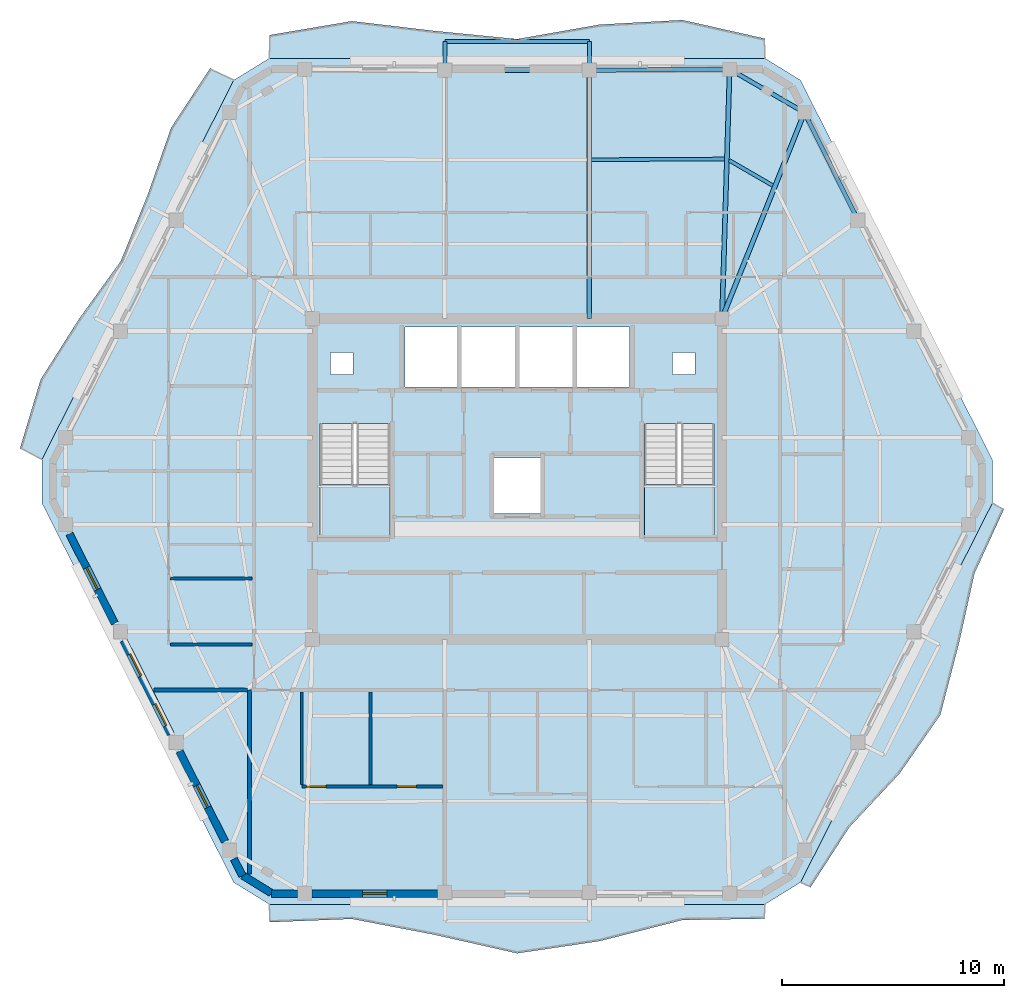
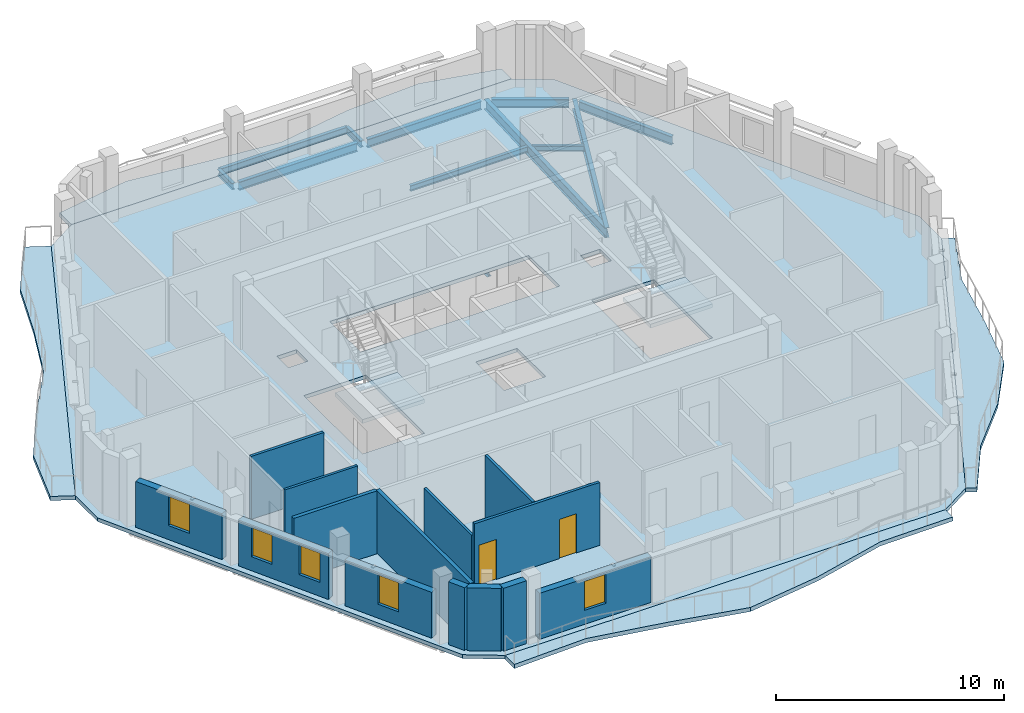
# One storey, part 3 of 11: 14 walls, 12 beams, 7 slabs, 5 windows, 2 doors, 7 openings, 2 elements without a shape of their own.
"""IFC4 building model written with IfcOpenShell, lengths in metres."""

from ifc_helpers import new_model, si_unit, direction, frame, frame_2d, origin, origin_2d, place, context, subcontext, project, spatial, polyline, rectangle, i_section, outline, extrude, material, layer, layer_set, material_profile, profile_set, type_object, element, fill, aggregate, save


model = new_model("IFC4")

# Units and contexts
model_context = context("Model", 3, precision=1e-05, world=origin(), true_north=direction((0.0, 1.0)))
body_context = subcontext(model_context, "Body", "Model", "MODEL_VIEW")
ifc_project = project(units=[si_unit("LENGTHUNIT", "METRE"), si_unit("AREAUNIT", "SQUARE_METRE"), si_unit("VOLUMEUNIT", "CUBIC_METRE"), si_unit("PLANEANGLEUNIT", "RADIAN"), si_unit("MASSUNIT", "GRAM", prefix="KILO")], contexts=[model_context])

# Site, building, storey
site_placement = place(None, origin())
site = spatial("IfcSite", under=ifc_project, at=site_placement, CompositionType="ELEMENT")
building_placement = place(site_placement, origin())
building = spatial("IfcBuilding", under=site, at=building_placement, Name="Cinnabar Lancet Tower", CompositionType="ELEMENT")
storey_placement = place(building_placement, frame((0.0, 0.0, 274.449951171875)))
storey = spatial("IfcBuildingStorey", under=building, at=storey_placement, Name="L73", CompositionType="ELEMENT", Elevation=274.449951171875)

# Beams
ifc_material_1 = material(Name="Structural steel S355", Category="steel")
ifc_material_profile_1 = material_profile(ifc_material_1, i_section(OverallWidth=0.1650390625, OverallDepth=0.303466796875, WebThickness=0.006103515625, FlangeThickness=0.01025390625, FilletRadius=0.0087890625, at=origin_2d()), Name="UKB 305x165x40")
ifc_profile_set_1 = profile_set([ifc_material_profile_1], Name="Structural steel S355")
beam_type_1 = type_object("IfcBeamType", Name="STR-BM-JST-305", PredefinedType="JOIST", material=ifc_profile_set_1)
beam_1_placement = place(storey_placement, frame((43.912109375, 39.1201171875, -0.35205078125), z_axis=(-0.865426285481, 0.501036270542, 0.0), x_axis=(-0.501036270542, -0.865426285481, 0.0)))
element("IfcBeam", 1, at=beam_1_placement, inside=storey, type_object=beam_type_1, Name="L73 Secondary Floor Joist 29", PredefinedType="JOIST", context=body_context, shape_type="SweptSolid", body=[
    extrude(i_section(OverallWidth=0.1650390625, OverallDepth=0.303466796875, WebThickness=0.006103515625, FlangeThickness=0.01025390625, FilletRadius=0.0087890625, at=origin_2d()), origin(), (0.0, 0.0, 1.0), 2.267333984375),
])
beam_2_placement = place(storey_placement, frame((41.741943359375, 40.31494140625, -0.35205078125), z_axis=(-0.999985712428, -0.005345553266, 0.0), x_axis=(0.005345553266, -0.999985712428, 0.0)))
element("IfcBeam", 2, at=beam_2_placement, inside=storey, type_object=beam_type_1, Name="L73 Secondary Floor Joist 30", PredefinedType="JOIST", context=body_context, shape_type="SweptSolid", body=[
    extrude(i_section(OverallWidth=0.1650390625, OverallDepth=0.303466796875, WebThickness=0.006103515625, FlangeThickness=0.01025390625, FilletRadius=0.0087890625, at=origin_2d()), origin(), (0.0, 0.0, 1.0), 5.98291015625),
])
ifc_material_2 = material(Name="Structural steel S355", Category="steel")
ifc_material_profile_2 = material_profile(ifc_material_2, i_section(OverallWidth=0.1904296875, OverallDepth=0.45703125, WebThickness=0.009033203125, FlangeThickness=0.014404296875, FilletRadius=0.01025390625, at=origin_2d()), Name="UKB 457x191x74")
ifc_profile_set_2 = profile_set([ifc_material_profile_2], Name="Structural steel S355")
beam_type_2 = type_object("IfcBeamType", Name="STR-BM-SPN-457", PredefinedType="SPANDREL", material=ifc_profile_set_2)
beam_3_placement = place(storey_placement, frame((47.637939453125, 37.778076171875, -0.427978515625), z_axis=(-0.444372599207, 0.895842058107, 0.0), x_axis=(-0.895842058107, -0.444372599207, 0.0)))
element("IfcBeam", 3, at=beam_3_placement, inside=storey, type_object=beam_type_2, Name="L73 Perimeter Spandrel 11", PredefinedType="SPANDREL", context=body_context, shape_type="SweptSolid", body=[
    extrude(i_section(OverallWidth=0.1904296875, OverallDepth=0.45703125, WebThickness=0.009033203125, FlangeThickness=0.014404296875, FilletRadius=0.01025390625, at=origin_2d()), origin(), (0.0, 0.0, 1.0), 4.91943359375),
])
beam_4_placement = place(storey_placement, frame((45.125, 42.533935546875, -0.427978515625), z_axis=(-0.865199693264, 0.501427453153, 0.0), x_axis=(-0.501427453153, -0.865199693264, 0.0)))
element("IfcBeam", 4, at=beam_4_placement, inside=storey, type_object=beam_type_2, Name="L73 Perimeter Spandrel 12", PredefinedType="SPANDREL", context=body_context, shape_type="SweptSolid", body=[
    extrude(i_section(OverallWidth=0.1904296875, OverallDepth=0.45703125, WebThickness=0.009033203125, FlangeThickness=0.014404296875, FilletRadius=0.01025390625, at=origin_2d()), origin(), (0.0, 0.0, 1.0), 3.39453125),
])
beam_5_placement = place(storey_placement, frame((41.721923828125, 44.35888671875, -0.427978515625), z_axis=(-0.999964782464, -0.008392486634, 0.0), x_axis=(0.008392486634, -0.999964782464, 0.0)))
element("IfcBeam", 5, at=beam_5_placement, inside=storey, type_object=beam_type_2, Name="L73 Perimeter Spandrel 13", PredefinedType="SPANDREL", context=body_context, shape_type="SweptSolid", body=[
    extrude(i_section(OverallWidth=0.1904296875, OverallDepth=0.45703125, WebThickness=0.009033203125, FlangeThickness=0.014404296875, FilletRadius=0.01025390625, at=origin_2d()), origin(), (0.0, 0.0, 1.0), 5.818115234375),
])
beam_6_placement = place(storey_placement, frame((35.404052734375, 44.30810546875, -0.427978515625), z_axis=(-1.0, 0.0, 0.0), x_axis=(0.0, -1.0, 0.0)))
element("IfcBeam", 6, at=beam_6_placement, inside=storey, type_object=beam_type_2, Name="L73 Perimeter Spandrel 14", PredefinedType="SPANDREL", context=body_context, shape_type="SweptSolid", body=[
    extrude(i_section(OverallWidth=0.1904296875, OverallDepth=0.45703125, WebThickness=0.009033203125, FlangeThickness=0.014404296875, FilletRadius=0.01025390625, at=origin_2d()), origin(), (0.0, 0.0, 1.0), 6.008056640625),
])
ifc_material_3 = material(Name="Structural steel S355", Category="steel")
ifc_material_profile_3 = material_profile(ifc_material_3, i_section(OverallWidth=0.209228515625, OverallDepth=0.533203125, WebThickness=0.010009765625, FlangeThickness=0.015625, FilletRadius=0.0126953125, at=origin_2d()), Name="UKB 533x210x92")
ifc_profile_set_3 = profile_set([ifc_material_profile_3], Name="Structural steel S355")
beam_type_3 = type_object("IfcBeamType", Name="STR-BM-UKB533-92", PredefinedType="BEAM", material=ifc_profile_set_3)
beam_7_placement = place(storey_placement, frame((45.341064453125, 42.408935546875, -0.467041015625), z_axis=(-0.371605341166, -0.928390796172, 0.0), x_axis=(0.928390796172, -0.371605341166, 0.0)))
element("IfcBeam", 7, at=beam_7_placement, inside=storey, type_object=beam_type_3, Name="L73 Primary Floor Girder 12", PredefinedType="BEAM", context=body_context, shape_type="SweptSolid", body=[
    extrude(i_section(OverallWidth=0.209228515625, OverallDepth=0.533203125, WebThickness=0.010009765625, FlangeThickness=0.015625, FilletRadius=0.0126953125, at=origin_2d()), origin(), (0.0, 0.0, 1.0), 10.0),
])
beam_8_placement = place(storey_placement, frame((41.971923828125, 44.361083984375, -0.467041015625), z_axis=(-0.030861159652, -0.999523680973, 0.0), x_axis=(0.999523680973, -0.030861159652, 0.0)))
element("IfcBeam", 8, at=beam_8_placement, inside=storey, type_object=beam_type_3, Name="L73 Primary Floor Girder 13", PredefinedType="BEAM", context=body_context, shape_type="SweptSolid", body=[
    extrude(i_section(OverallWidth=0.209228515625, OverallDepth=0.533203125, WebThickness=0.010009765625, FlangeThickness=0.015625, FilletRadius=0.0126953125, at=origin_2d()), origin(), (0.0, 0.0, 1.0), 11.241455078125),
])
beam_9_placement = place(storey_placement, frame((35.654052734375, 44.30810546875, -0.467041015625), z_axis=(0.0, -1.0, 0.0), x_axis=(1.0, 0.0, 0.0)))
element("IfcBeam", 9, at=beam_9_placement, inside=storey, type_object=beam_type_3, Name="L73 Primary Floor Girder 14", PredefinedType="BEAM", context=body_context, shape_type="SweptSolid", body=[
    extrude(i_section(OverallWidth=0.209228515625, OverallDepth=0.533203125, WebThickness=0.010009765625, FlangeThickness=0.015625, FilletRadius=0.0126953125, at=origin_2d()), origin(), (0.0, 0.0, 1.0), 11.18310546875),
])
ifc_material_4 = material(Name="Structural steel S355", Category="steel")
ifc_material_profile_4 = material_profile(ifc_material_4, i_section(OverallWidth=0.17138671875, OverallDepth=0.35498046875, WebThickness=0.00732421875, FlangeThickness=0.011474609375, FilletRadius=0.01025390625, at=origin_2d()), Name="UKB 356x171x51")
ifc_profile_set_4 = profile_set([ifc_material_profile_4], Name="Structural steel S355")
beam_type_4 = type_object("IfcBeamType", Name="STR-BM-WAV-OUT", PredefinedType="BEAM", material=ifc_profile_set_4)
for number, where, z_axis, x_axis, name in (
    (10, (35.654052734375, 44.30810546875, -0.39697265625), (0.0, 1.0, 0.0), (-1.0, 0.0, 0.0), "L73 Face 4 Balcony Outlooker A"),
    (11, (29.14599609375, 44.30810546875, -0.39697265625), (0.0, 1.0, 0.0), (-1.0, 0.0, 0.0), "L73 Face 4 Balcony Outlooker B"),
):
    element("IfcBeam", number, at=place(storey_placement, frame(where, z_axis=z_axis, x_axis=x_axis)), inside=storey, type_object=beam_type_4, Name=name, PredefinedType="BEAM", context=body_context, shape_type="SweptSolid", body=[
        extrude(i_section(OverallWidth=0.17138671875, OverallDepth=0.35498046875, WebThickness=0.00732421875, FlangeThickness=0.011474609375, FilletRadius=0.01025390625, at=origin_2d()), origin(), (0.0, 0.0, 1.0), 1.2998046875),
    ])
ifc_material_5 = material(Name="Structural steel S355", Category="steel")
ifc_material_profile_5 = material_profile(ifc_material_5, i_section(OverallWidth=0.17138671875, OverallDepth=0.35498046875, WebThickness=0.00732421875, FlangeThickness=0.011474609375, FilletRadius=0.01025390625, at=origin_2d()), Name="UKB 356x171x51")
ifc_profile_set_5 = profile_set([ifc_material_profile_5], Name="Structural steel S355")
beam_type_5 = type_object("IfcBeamType", Name="STR-BM-WAV-TRIM", PredefinedType="SPANDREL", material=ifc_profile_set_5)
beam_10_placement = place(storey_placement, frame((35.654052734375, 45.60791015625, -0.39697265625), z_axis=(-1.0, 0.0, 0.0), x_axis=(0.0, -1.0, 0.0)))
element("IfcBeam", 12, at=beam_10_placement, inside=storey, type_object=beam_type_5, Name="L73 Face 4 Balcony Edge Trimmer", PredefinedType="SPANDREL", context=body_context, shape_type="SweptSolid", body=[
    extrude(i_section(OverallWidth=0.17138671875, OverallDepth=0.35498046875, WebThickness=0.00732421875, FlangeThickness=0.011474609375, FilletRadius=0.01025390625, at=origin_2d()), origin(), (0.0, 0.0, 1.0), 6.508056640625),
])

# Stair, slab
ifc_material_6 = material(Name="Concrete C40/50", Category="concrete")
stair_type = type_object("IfcStairType", Name="ST-CORE", PredefinedType="HALF_TURN_STAIR", material=ifc_material_6)
stair_1_placement = place(storey_placement, origin())
stair_1 = element("IfcStair", 13, at=stair_1_placement, inside=storey, type_object=stair_type, Name="L73 ST-1", PredefinedType="HALF_TURN_STAIR")
ifc_material_7 = material(Name="Concrete C40/50", Category="concrete")
ifc_layer_1 = layer(ifc_material_7, 0.199951171875)
ifc_layer_set_1 = layer_set([ifc_layer_1], Name="Concrete C40/50")
slab_type_1 = type_object("IfcSlabType", Name="LANDING-CORE", PredefinedType="LANDING", material=ifc_layer_set_1)
slab_1_placement = place(storey_placement, frame((0.0, 0.0, 1.625)))
slab_1 = element("IfcSlab", 14, at=slab_1_placement, type_object=slab_type_1, Name="ST-1 landing 1", PredefinedType="LANDING", context=body_context, shape_type="SweptSolid", body=[
    extrude(outline(polyline([(23.52490234375, 25.64990234375), (23.52490234375, 23.25), (26.675048828125, 23.25), (26.675048828125, 25.64990234375), (23.52490234375, 25.64990234375)])), origin(), (0.0, 0.0, 1.0), 0.199951171875),
])
aggregate(stair_1, [slab_1])

stair_2_placement = place(storey_placement, origin())
stair_2 = element("IfcStair", 15, at=stair_2_placement, inside=storey, type_object=stair_type, Name="L73 ST-2", PredefinedType="HALF_TURN_STAIR")
slab_2_placement = place(storey_placement, frame((0.0, 0.0, 1.625)))
slab_2 = element("IfcSlab", 16, at=slab_2_placement, type_object=slab_type_1, Name="ST-2 landing 1", PredefinedType="LANDING", context=body_context, shape_type="SweptSolid", body=[
    extrude(outline(polyline([(38.125, 25.64990234375), (38.125, 23.25), (41.27490234375, 23.25), (41.27490234375, 25.64990234375), (38.125, 25.64990234375)])), origin(), (0.0, 0.0, 1.0), 0.199951171875),
])
aggregate(stair_2, [slab_2])

# Slabs
ifc_material_8 = material(Name="Concrete C40/50", Category="concrete")
ifc_layer_2 = layer(ifc_material_8, 0.199951171875)
ifc_layer_set_2 = layer_set([ifc_layer_2], Name="Concrete C40/50")
slab_type_2 = type_object("IfcSlabType", Name="STR-SLB-FLR-200", PredefinedType="FLOOR", material=ifc_layer_set_2)
slab_3_placement = place(storey_placement, frame((0.0, 0.0, -0.199951171875)))
element("IfcSlab", 17, at=slab_3_placement, inside=storey, type_object=slab_type_2, Name="L73 Structural Floor Slab", PredefinedType="FLOOR", context=body_context, shape_type="SweptSolid", body=[
    extrude(outline(polyline([(19.638916015625, 7.73193359375), (21.236083984375, 6.75), (43.56396484375, 6.75), (45.160888671875, 7.73193359375), (53.802978515625, 24.818115234375), (53.802978515625, 26.781982421875), (45.160888671875, 43.867919921875), (43.56396484375, 44.85009765625), (21.236083984375, 44.85009765625), (19.638916015625, 43.867919921875), (10.9970703125, 26.781982421875), (10.9970703125, 24.818115234375), (19.638916015625, 7.73193359375)]), holes=[polyline([(23.52490234375, 23.25), (26.675048828125, 23.25), (26.675048828125, 28.3994140625), (23.52490234375, 28.3994140625), (23.52490234375, 23.25)]), polyline([(38.125, 23.25), (41.27490234375, 23.25), (41.27490234375, 28.3994140625), (38.125, 28.3994140625), (38.125, 23.25)]), polyline([(27.35009765625, 30.050048828125), (37.449951171875, 30.050048828125), (37.449951171875, 32.75), (27.35009765625, 32.75), (27.35009765625, 30.050048828125)]), polyline([(31.35009765625, 24.35009765625), (33.449951171875, 24.35009765625), (33.449951171875, 26.85009765625), (31.35009765625, 26.85009765625), (31.35009765625, 24.35009765625)]), polyline([(24.0, 30.60009765625), (25.0, 30.60009765625), (25.0, 31.60009765625), (24.0, 31.60009765625), (24.0, 30.60009765625)]), polyline([(39.39990234375, 30.60009765625), (40.39990234375, 30.60009765625), (40.39990234375, 31.60009765625), (39.39990234375, 31.60009765625), (39.39990234375, 30.60009765625)])]), origin(), (0.0, 0.0, 1.0), 0.199951171875),
])
ifc_material_9 = material(Name="Concrete C45/55", Category="concrete")
ifc_layer_3 = layer(ifc_material_9, 0.219970703125)
ifc_layer_set_3 = layer_set([ifc_layer_3], Name="Concrete C45/55")
slab_type_3 = type_object("IfcSlabType", Name="STR-SLB-WAV-220", PredefinedType="FLOOR", material=ifc_layer_set_3)
slab_4_placement = place(storey_placement, frame((0.0, 0.0, -0.219970703125)))
element("IfcSlab", 18, at=slab_4_placement, inside=storey, type_object=slab_type_3, Name="L73 Face 1 Undulating Wave Balcony Slab", PredefinedType="FLOOR", context=body_context, shape_type="SweptSolid", body=[
    extrude(outline(polyline([(21.236083984375, 6.75), (21.236083984375, 5.943115234375), (24.95703125, 6.091064453125), (28.678955078125, 5.3779296875), (32.39990234375, 4.5400390625), (36.12109375, 5.092041015625), (39.843017578125, 6.0400390625), (43.56396484375, 6.10205078125), (43.56396484375, 6.75), (21.236083984375, 6.75)])), origin(), (0.0, 0.0, 1.0), 0.219970703125),
])
slab_5_placement = place(storey_placement, frame((0.0, 0.0, -0.219970703125)))
element("IfcSlab", 19, at=slab_5_placement, inside=storey, type_object=slab_type_3, Name="L73 Face 2 Undulating Wave Balcony Slab", PredefinedType="FLOOR", context=body_context, shape_type="SweptSolid", body=[
    extrude(outline(polyline([(45.160888671875, 7.73193359375), (45.60693359375, 7.506103515625), (47.345947265625, 10.202880859375), (49.616943359375, 12.6298828125), (51.4580078125, 15.27587890625), (52.281005859375, 18.43505859375), (52.9951171875, 21.64990234375), (54.326904296875, 24.552978515625), (53.802978515625, 24.818115234375), (45.160888671875, 7.73193359375)])), origin(), (0.0, 0.0, 1.0), 0.219970703125),
])
slab_6_placement = place(storey_placement, frame((0.0, 0.0, -0.219970703125)))
element("IfcSlab", 20, at=slab_6_placement, inside=storey, type_object=slab_type_3, Name="L73 Face 4 Undulating Wave Balcony Slab", PredefinedType="FLOOR", context=body_context, shape_type="SweptSolid", body=[
    extrude(outline(polyline([(43.56396484375, 44.85009765625), (43.56396484375, 45.736083984375), (39.843017578125, 46.575927734375), (36.12109375, 46.3701171875), (32.39990234375, 45.717041015625), (28.678955078125, 46.083984375), (24.95703125, 46.52490234375), (21.236083984375, 45.89501953125), (21.236083984375, 44.85009765625), (43.56396484375, 44.85009765625)])), origin(), (0.0, 0.0, 1.0), 0.219970703125),
])
slab_7_placement = place(storey_placement, frame((0.0, 0.0, -0.219970703125)))
element("IfcSlab", 21, at=slab_7_placement, inside=storey, type_object=slab_type_3, Name="L73 Face 5 Undulating Wave Balcony Slab", PredefinedType="FLOOR", context=body_context, shape_type="SweptSolid", body=[
    extrude(outline(polyline([(19.638916015625, 43.867919921875), (18.574951171875, 44.406005859375), (16.81494140625, 41.719970703125), (15.7529296875, 38.680908203125), (14.547119140625, 35.715087890625), (12.656005859375, 33.094970703125), (10.94091796875, 30.385986328125), (10.010009765625, 27.281005859375), (10.9970703125, 26.781982421875), (19.638916015625, 43.867919921875)])), origin(), (0.0, 0.0, 1.0), 0.219970703125),
])

# Walls
ifc_material_10 = material(Name="Fire-rated twin-frame acoustic drywall", Category="gypsum")
ifc_layer_4 = layer(ifc_material_10, 0.179931640625)
ifc_layer_set_4 = layer_set([ifc_layer_4], Name="Fire-rated twin-frame acoustic drywall")
wall_type_1 = type_object("IfcWallType", Name="ARC-WL-PARTY-180", PredefinedType="PARTITIONING", material=ifc_layer_set_4)
wall_1_placement = place(storey_placement, frame((20.35009765625, 8.118896484375, 0.0), z_axis=(0.0, 0.0, 1.0), x_axis=(0.0, 1.0, 0.0)))
element("IfcWall", 22, at=wall_1_placement, inside=storey, type_object=wall_type_1, Name="PW-L73-SPTY-204", PredefinedType="PARTITIONING", context=body_context, shape_type="SweptSolid", body=[
    extrude(rectangle(XDim=8.281005859375, YDim=0.179931640625, at=frame_2d((4.140625, 0.0))), origin(), (0.0, 0.0, 1.0), 3.3701171875),
])
wall_2_placement = place(storey_placement, frame((16.033935546875, 16.39990234375, 0.0), z_axis=(0.0, 0.0, 1.0), x_axis=(1.0, 0.0, 0.0)))
element("IfcWall", 23, at=wall_2_placement, inside=storey, type_object=wall_type_1, Name="PW-L73-WSB", PredefinedType="PARTITIONING", context=body_context, shape_type="SweptSolid", body=[
    extrude(rectangle(XDim=4.220947265625, YDim=0.179931640625, at=frame_2d((2.1103515625, 0.0))), origin(), (0.0, 0.0, 1.0), 3.3701171875),
])
ifc_material_11 = material(Name="Gypsum plasterboard stud partition", Category="gypsum")
ifc_layer_5 = layer(ifc_material_11, 0.125)
ifc_layer_set_5 = layer_set([ifc_layer_5], Name="Gypsum plasterboard stud partition")
wall_type_2 = type_object("IfcWallType", Name="ARC-WL-UNIT-125", PredefinedType="PARTITIONING", material=ifc_layer_set_5)
wall_3_placement = place(storey_placement, frame((22.699951171875, 12.15087890625, 0.0), z_axis=(0.0, 0.0, 1.0), x_axis=(0.0, 1.0, 0.0)))
element("IfcWall", 24, at=wall_3_placement, inside=storey, type_object=wall_type_2, Name="UW-L73-S01-FOYE", PredefinedType="PARTITIONING", context=body_context, shape_type="SweptSolid", body=[
    extrude(rectangle(XDim=4.1640625, YDim=0.125, at=frame_2d((2.08203125, 0.0))), origin(), (0.0, 0.0, 1.0), 2.677001953125),
])
wall_4_placement = place(storey_placement, frame((16.784912109375, 18.449951171875, 0.0), z_axis=(0.0, 0.0, 1.0), x_axis=(1.0, 0.0, 0.0)))
element("IfcWall", 25, at=wall_4_placement, inside=storey, type_object=wall_type_2, Name="UW-L73-W01-FOYN", PredefinedType="PARTITIONING", context=body_context, shape_type="SweptSolid", body=[
    extrude(rectangle(XDim=3.68017578125, YDim=0.125, at=frame_2d((1.840087890625, 0.0))), origin(), (0.0, 0.0, 1.0), 3.3701171875),
])

# Wall, openings, doors
ifc_material_12 = material(Name="Moisture-resistant cement-board plumbing wall", Category="masonry")
ifc_layer_6 = layer(ifc_material_12, 0.139892578125)
ifc_layer_set_6 = layer_set([ifc_layer_6], Name="Moisture-resistant cement-board plumbing wall")
wall_type_3 = type_object("IfcWallType", Name="ARC-WL-WET-140", PredefinedType="PLUMBINGWALL", material=ifc_layer_set_6)
wall_5_placement = place(storey_placement, frame((22.699951171875, 12.0458984375, 0.0), z_axis=(0.0, 0.0, 1.0), x_axis=(1.0, 0.0, 0.0)))
wall_5 = element("IfcWall", 26, at=wall_5_placement, inside=storey, type_object=wall_type_3, Name="UW-L73-S01-SPL", PredefinedType="PLUMBINGWALL", context=body_context, shape_type="SweptSolid", body=[
    extrude(rectangle(XDim=6.35107421875, YDim=0.139892578125, at=frame_2d((3.175537109375, 0.0))), origin(), (0.0, 0.0, 1.0), 3.3701171875),
])
opening_1_placement = place(wall_5_placement, frame((4.298095703125, 0.0, 0.0)))
opening_1 = element("IfcOpeningElement", 27, at=opening_1_placement, cuts=wall_5, Name="Opening BD-01", PredefinedType="OPENING", context=body_context, shape_type="SweptSolid", body=[
    extrude(rectangle(XDim=0.860107421875, YDim=2.10009765625, at=frame_2d((0.43017578125, 1.050048828125))), frame((0.0, 0.079833984375, 0.0), z_axis=(0.0, -1.0, 0.0), x_axis=(1.0, 0.0, 0.0)), (0.0, 0.0, 1.0), 0.159912109375),
])
opening_2_placement = place(wall_5_placement, frame((0.219970703125, 0.0, 0.0)))
opening_2 = element("IfcOpeningElement", 28, at=opening_2_placement, cuts=wall_5, Name="Opening RD-02", PredefinedType="OPENING", context=body_context, shape_type="SweptSolid", body=[
    extrude(rectangle(XDim=0.8798828125, YDim=2.14990234375, at=frame_2d((0.43994140625, 1.074951171875))), frame((0.0, 0.079833984375, 0.0), z_axis=(0.0, -1.0, 0.0), x_axis=(1.0, 0.0, 0.0)), (0.0, 0.0, 1.0), 0.159912109375),
])
ifc_material_13 = material(Name="Moisture-resistant timber bathroom door", Category="wood")
door_type_1 = type_object("IfcDoorType", Name="ARC-DR-BATH", OperationType="NOTDEFINED", PredefinedType="DOOR", material=ifc_material_13)
door_1_placement = place(opening_1_placement, origin())
door_1 = element("IfcDoor", 29, at=door_1_placement, inside=storey, type_object=door_type_1, Name="DR-L73-S01-BTH", OperationType="SINGLE_SWING_RIGHT", OverallHeight=2.10009765625, OverallWidth=0.860107421875, PredefinedType="DOOR", context=body_context, shape_type="SweptSolid", body=[
    extrude(rectangle(XDim=0.860107421875, YDim=2.10009765625, at=frame_2d((0.43017578125, 1.050048828125))), frame((0.0, 0.02490234375, 0.0), z_axis=(0.0, -1.0, 0.0), x_axis=(1.0, 0.0, 0.0)), (0.0, 0.0, 1.0), 0.050048828125),
])
fill(opening_1, door_1)
ifc_material_14 = material(Name="Engineered timber study door", Category="wood")
door_type_2 = type_object("IfcDoorType", Name="ARC-DR-STUDY", OperationType="NOTDEFINED", PredefinedType="DOOR", material=ifc_material_14)
door_2_placement = place(opening_2_placement, origin())
door_2 = element("IfcDoor", 30, at=door_2_placement, inside=storey, type_object=door_type_2, Name="DR-L73-S01-KIT", OperationType="SINGLE_SWING_LEFT", OverallHeight=2.14990234375, OverallWidth=0.8798828125, PredefinedType="DOOR", context=body_context, shape_type="SweptSolid", body=[
    extrude(rectangle(XDim=0.8798828125, YDim=2.14990234375, at=frame_2d((0.43994140625, 1.074951171875))), frame((0.0, 0.02490234375, 0.0), z_axis=(0.0, -1.0, 0.0), x_axis=(1.0, 0.0, 0.0)), (0.0, 0.0, 1.0), 0.050048828125),
])
fill(opening_2, door_2)

# Walls
wall_6_placement = place(storey_placement, frame((25.7939453125, 12.15087890625, 0.0), z_axis=(0.0, 0.0, 1.0), x_axis=(0.0, 1.0, 0.0)))
element("IfcWall", 31, at=wall_6_placement, inside=storey, type_object=wall_type_3, Name="UW-L73-S01-KDV", PredefinedType="PLUMBINGWALL", context=body_context, shape_type="SweptSolid", body=[
    extrude(rectangle(XDim=4.1640625, YDim=0.139892578125, at=frame_2d((2.08203125, 0.0))), origin(), (0.0, 0.0, 1.0), 3.3701171875),
])
wall_7_placement = place(storey_placement, frame((16.784912109375, 21.4169921875, 0.0), z_axis=(0.0, 0.0, 1.0), x_axis=(1.0, 0.0, 0.0)))
element("IfcWall", 32, at=wall_7_placement, inside=storey, type_object=wall_type_3, Name="UW-L73-W01-KDV", PredefinedType="PLUMBINGWALL", context=body_context, shape_type="SweptSolid", body=[
    extrude(rectangle(XDim=3.68017578125, YDim=0.139892578125, at=frame_2d((1.840087890625, 0.0))), origin(), (0.0, 0.0, 1.0), 3.3701171875),
])
ifc_material_15 = material(Name="Cinnabar red clay brick", Category="masonry")
ifc_layer_7 = layer(ifc_material_15, 0.340087890625)
ifc_layer_set_7 = layer_set([ifc_layer_7], Name="Cinnabar red clay brick")
wall_type_4 = type_object("IfcWallType", Name="ENV-WL-BRK-RED-340", PredefinedType="STANDARD", material=ifc_layer_set_7)
wall_8_placement = place(storey_placement, frame((20.047119140625, 8.044921875, 0.0), z_axis=(0.0, 0.0, 1.0), x_axis=(0.851680557619, -0.52406128246, 0.0)))
element("IfcWall", 33, at=wall_8_placement, inside=storey, type_object=wall_type_4, Name="L73 Chamfered Corner Brick Pier 1.1", PredefinedType="STANDARD", context=body_context, shape_type="SweptSolid", body=[
    extrude(rectangle(XDim=1.507568359375, YDim=0.340087890625, at=frame_2d((0.75390625, 0.0))), origin(), (0.0, 0.0, 1.0), 3.3701171875),
])
wall_9_placement = place(storey_placement, frame((21.325927734375, 7.22998046875, 0.0), z_axis=(0.0, 0.0, 1.0), x_axis=(1.0, 0.0, 0.0)))
element("IfcWall", 34, at=wall_9_placement, inside=storey, type_object=wall_type_4, Name="L73 Face 1 Masonry Bay Wall 1", PredefinedType="STANDARD", context=body_context, shape_type="SweptSolid", body=[
    extrude(rectangle(XDim=1.173095703125, YDim=0.340087890625, at=frame_2d((0.58642578125, 0.0))), origin(), (0.0, 0.0, 1.0), 3.3701171875),
])

# Wall, opening, window
wall_10_placement = place(storey_placement, frame((23.156982421875, 7.22998046875, 0.0), z_axis=(0.0, 0.0, 1.0), x_axis=(1.0, 0.0, 0.0)))
wall_10 = element("IfcWall", 35, at=wall_10_placement, inside=storey, type_object=wall_type_4, Name="L73 Face 1 Masonry Bay Wall 2", PredefinedType="STANDARD", context=body_context, shape_type="SweptSolid", body=[
    extrude(rectangle(XDim=5.659912109375, YDim=0.340087890625, at=frame_2d((2.830078125, 0.0))), origin(), (0.0, 0.0, 1.0), 2.4599609375),
])
opening_3_placement = place(wall_10_placement, frame((2.280029296875, 0.0, 0.75)))
opening_3 = element("IfcOpeningElement", 36, at=opening_3_placement, cuts=wall_10, Name="Opening WN-04", PredefinedType="OPENING", context=body_context, shape_type="SweptSolid", body=[
    extrude(rectangle(XDim=1.10009765625, YDim=1.56005859375, at=frame_2d((0.550048828125, 0.780029296875))), frame((0.0, 0.179931640625, 0.0), z_axis=(0.0, -1.0, 0.0), x_axis=(1.0, 0.0, 0.0)), (0.0, 0.0, 1.0), 0.360107421875),
])
ifc_material_16 = material(Name="Thermally broken bronze-anodized aluminium tall lancet window", Category="aluminium")
window_type = type_object("IfcWindowType", Name="ENV-WN-LANCET-1100", PartitioningType="SINGLE_PANEL", PredefinedType="WINDOW", material=ifc_material_16)
window_1_placement = place(opening_3_placement, origin())
window_1 = element("IfcWindow", 37, at=window_1_placement, inside=storey, type_object=window_type, Name="L73 Face 1 Gothic Lancet Window 2", OverallHeight=1.56005859375, OverallWidth=1.10009765625, PartitioningType="SINGLE_PANEL", PredefinedType="WINDOW", context=body_context, shape_type="SweptSolid", body=[
    extrude(rectangle(XDim=1.10009765625, YDim=1.56005859375, at=frame_2d((0.550048828125, 0.780029296875))), frame((0.0, 0.030029296875, 0.0), z_axis=(0.0, -1.0, 0.0), x_axis=(1.0, 0.0, 0.0)), (0.0, 0.0, 1.0), 0.06005859375),
])
fill(opening_3, window_1)

wall_11_placement = place(storey_placement, frame((12.23193359375, 23.43896484375, 0.0), z_axis=(0.0, 0.0, 1.0), x_axis=(0.45147697324, -0.892282770558, 0.0)))
wall_11 = element("IfcWall", 38, at=wall_11_placement, inside=storey, type_object=wall_type_4, Name="L73 Face 6 Masonry Bay Wall 2", PredefinedType="STANDARD", context=body_context, shape_type="SweptSolid", body=[
    extrude(rectangle(XDim=4.530029296875, YDim=0.340087890625, at=frame_2d((2.26513671875, 0.0))), origin(), (0.0, 0.0, 1.0), 2.4599609375),
])
opening_4_placement = place(wall_11_placement, frame((1.715087890625, 0.0, 0.75)))
opening_4 = element("IfcOpeningElement", 39, at=opening_4_placement, cuts=wall_11, Name="Opening WN-04", PredefinedType="OPENING", context=body_context, shape_type="SweptSolid", body=[
    extrude(rectangle(XDim=1.10009765625, YDim=1.56005859375, at=frame_2d((0.550048828125, 0.780029296875))), frame((0.0, 0.179931640625, 0.0), z_axis=(0.0, -1.0, 0.0), x_axis=(1.0, 0.0, 0.0)), (0.0, 0.0, 1.0), 0.360107421875),
])
window_2_placement = place(opening_4_placement, origin())
window_2 = element("IfcWindow", 40, at=window_2_placement, inside=storey, type_object=window_type, Name="L73 Face 6 Gothic Lancet Window 2", OverallHeight=1.56005859375, OverallWidth=1.10009765625, PartitioningType="SINGLE_PANEL", PredefinedType="WINDOW", context=body_context, shape_type="SweptSolid", body=[
    extrude(rectangle(XDim=1.10009765625, YDim=1.56005859375, at=frame_2d((0.550048828125, 0.780029296875))), frame((0.0, 0.030029296875, 0.0), z_axis=(0.0, -1.0, 0.0), x_axis=(1.0, 0.0, 0.0)), (0.0, 0.0, 1.0), 0.06005859375),
])
fill(opening_4, window_2)

# Wall, openings, windows
wall_12_placement = place(storey_placement, frame((14.666015625, 18.626953125, 0.0), z_axis=(0.0, 0.0, 1.0), x_axis=(0.451468341582, -0.892287137949, 0.0)))
wall_12 = element("IfcWall", 41, at=wall_12_placement, inside=storey, type_object=wall_type_4, Name="L73 Face 6 Masonry Bay Wall 3", PredefinedType="STANDARD", context=body_context, shape_type="SweptSolid", body=[
    extrude(rectangle(XDim=4.72265625, YDim=0.340087890625, at=frame_2d((2.361328125, 0.0))), origin(), (0.0, 0.0, 1.0), 2.4599609375),
])
opening_5_placement = place(wall_12_placement, frame((0.677001953125, 0.0, 0.75)))
opening_5 = element("IfcOpeningElement", 42, at=opening_5_placement, cuts=wall_12, Name="Opening WN-04", PredefinedType="OPENING", context=body_context, shape_type="SweptSolid", body=[
    extrude(rectangle(XDim=1.10009765625, YDim=1.56005859375, at=frame_2d((0.550048828125, 0.780029296875))), frame((0.0, 0.179931640625, 0.0), z_axis=(0.0, -1.0, 0.0), x_axis=(1.0, 0.0, 0.0)), (0.0, 0.0, 1.0), 0.360107421875),
])
opening_6_placement = place(wall_12_placement, frame((3.18896484375, 0.0, 0.75)))
opening_6 = element("IfcOpeningElement", 43, at=opening_6_placement, cuts=wall_12, Name="Opening WN-04", PredefinedType="OPENING", context=body_context, shape_type="SweptSolid", body=[
    extrude(rectangle(XDim=1.10009765625, YDim=1.56005859375, at=frame_2d((0.550048828125, 0.780029296875))), frame((0.0, 0.179931640625, 0.0), z_axis=(0.0, -1.0, 0.0), x_axis=(1.0, 0.0, 0.0)), (0.0, 0.0, 1.0), 0.360107421875),
])
window_3_placement = place(opening_5_placement, origin())
window_3 = element("IfcWindow", 44, at=window_3_placement, inside=storey, type_object=window_type, Name="L73 Face 6 Gothic Lancet Window 3", OverallHeight=1.56005859375, OverallWidth=1.10009765625, PartitioningType="SINGLE_PANEL", PredefinedType="WINDOW", context=body_context, shape_type="SweptSolid", body=[
    extrude(rectangle(XDim=1.10009765625, YDim=1.56005859375, at=frame_2d((0.550048828125, 0.780029296875))), frame((0.0, 0.030029296875, 0.0), z_axis=(0.0, -1.0, 0.0), x_axis=(1.0, 0.0, 0.0)), (0.0, 0.0, 1.0), 0.06005859375),
])
fill(opening_5, window_3)
window_4_placement = place(opening_6_placement, origin())
window_4 = element("IfcWindow", 45, at=window_4_placement, inside=storey, type_object=window_type, Name="L73 Split-Bay Gothic Lancet Window 275", OverallHeight=1.56005859375, OverallWidth=1.10009765625, PartitioningType="SINGLE_PANEL", PredefinedType="WINDOW", context=body_context, shape_type="SweptSolid", body=[
    extrude(rectangle(XDim=1.10009765625, YDim=1.56005859375, at=frame_2d((0.550048828125, 0.780029296875))), frame((0.0, 0.030029296875, 0.0), z_axis=(0.0, -1.0, 0.0), x_axis=(1.0, 0.0, 0.0)), (0.0, 0.0, 1.0), 0.06005859375),
])
fill(opening_6, window_4)

# Wall, opening, window
wall_13_placement = place(storey_placement, frame((17.18798828125, 13.639892578125, 0.0), z_axis=(0.0, 0.0, 1.0), x_axis=(0.45149770819, -0.892272278791, 0.0)))
wall_13 = element("IfcWall", 46, at=wall_13_placement, inside=storey, type_object=wall_type_4, Name="L73 Face 6 Masonry Bay Wall 4", PredefinedType="STANDARD", context=body_context, shape_type="SweptSolid", body=[
    extrude(rectangle(XDim=4.553466796875, YDim=0.340087890625, at=frame_2d((2.27685546875, 0.0))), origin(), (0.0, 0.0, 1.0), 2.4599609375),
])
opening_7_placement = place(wall_13_placement, frame((1.72705078125, 0.0, 0.75)))
opening_7 = element("IfcOpeningElement", 47, at=opening_7_placement, cuts=wall_13, Name="Opening WN-04", PredefinedType="OPENING", context=body_context, shape_type="SweptSolid", body=[
    extrude(rectangle(XDim=1.10009765625, YDim=1.56005859375, at=frame_2d((0.550048828125, 0.780029296875))), frame((0.0, 0.179931640625, 0.0), z_axis=(0.0, -1.0, 0.0), x_axis=(1.0, 0.0, 0.0)), (0.0, 0.0, 1.0), 0.360107421875),
])
window_5_placement = place(opening_7_placement, origin())
window_5 = element("IfcWindow", 48, at=window_5_placement, inside=storey, type_object=window_type, Name="L73 Face 6 Gothic Lancet Window 4", OverallHeight=1.56005859375, OverallWidth=1.10009765625, PartitioningType="SINGLE_PANEL", PredefinedType="WINDOW", context=body_context, shape_type="SweptSolid", body=[
    extrude(rectangle(XDim=1.10009765625, YDim=1.56005859375, at=frame_2d((0.550048828125, 0.780029296875))), frame((0.0, 0.030029296875, 0.0), z_axis=(0.0, -1.0, 0.0), x_axis=(1.0, 0.0, 0.0)), (0.0, 0.0, 1.0), 0.06005859375),
])
fill(opening_7, window_5)

# Wall
wall_14_placement = place(storey_placement, frame((19.64208984375, 8.7890625, 0.0), z_axis=(0.0, 0.0, 1.0), x_axis=(0.451907025977, -0.8920650424, 0.0)))
element("IfcWall", 49, at=wall_14_placement, inside=storey, type_object=wall_type_4, Name="L73 Face 6 Masonry Bay Wall 5", PredefinedType="STANDARD", context=body_context, shape_type="SweptSolid", body=[
    extrude(rectangle(XDim=0.85205078125, YDim=0.340087890625, at=frame_2d((0.426025390625, 0.0))), origin(), (0.0, 0.0, 1.0), 3.3701171875),
])

save(model, "model.ifc")
